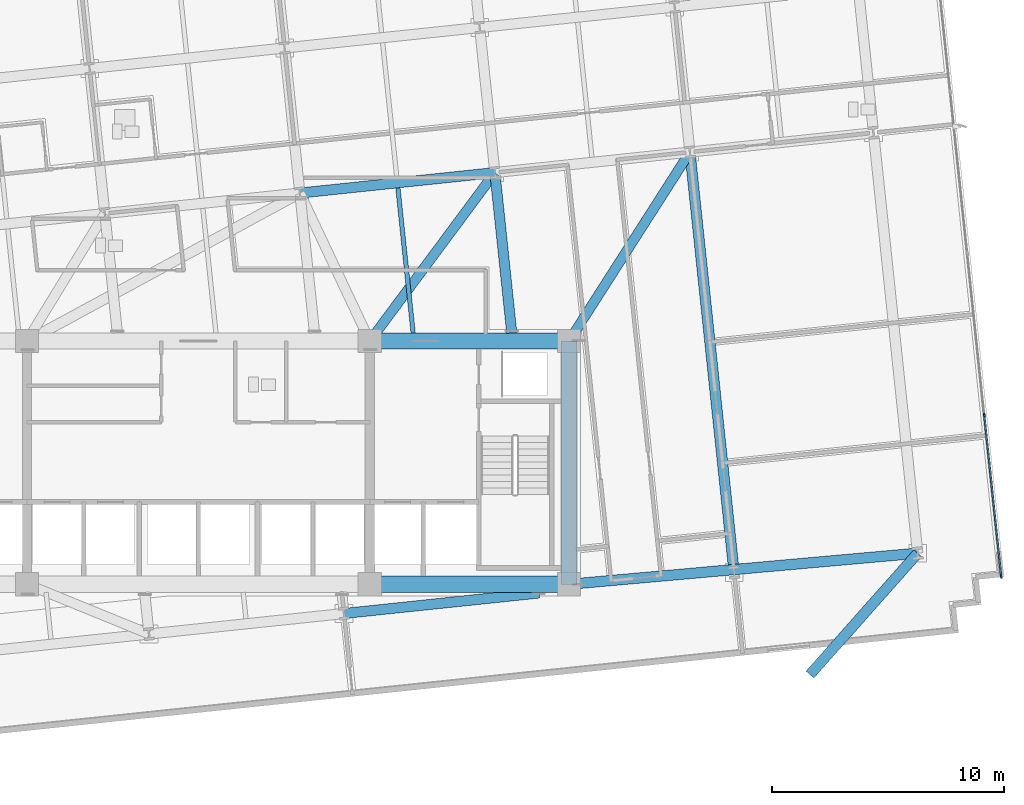
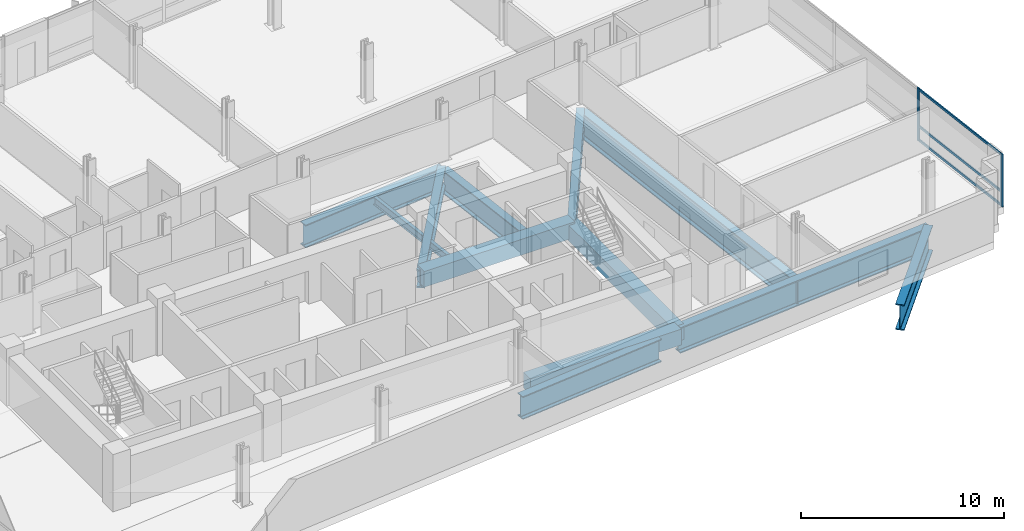
# One storey, part 4 of 18: 12 beams, 5 members, 1 element without a shape of its own.
"""IFC4 building model written with IfcOpenShell, lengths in metres."""

import ifcopenshell
import ifcopenshell.guid

model = None  # the IFC model being written
_history = None  # IfcOwnerHistory: only IFC2X3 demands one
_inside = {}  # id of a spatial element -> (the spatial element, [elements in it])
_under = {}  # id of a project, library or spatial element -> (it, [spatial elements below it])
_declared = {}  # id of a project -> (the project, [libraries it declares])
_typed = {}  # id of a type object -> (the type object, [elements of that type])
_made_of = {}  # id of a material, layer set ... -> (it, [elements and type objects made of it])


def new_model(schema):
    """Start an empty IFC model of exactly this schema.

    Asked for "IFC4X3", IfcOpenShell would pick the latest addendum, in which some entities
    have other attributes; the version numbers below select the first issue.
    IFC2X3 requires an IfcOwnerHistory on every rooted entity: one is made here for all.
    """
    global model, _history
    if schema == "IFC4X3":
        model = ifcopenshell.file(schema_version=(4, 3, 0, 0))
    else:
        model = ifcopenshell.file(schema=schema)
    _inside.clear()
    _under.clear()
    _declared.clear()
    _typed.clear()
    _made_of.clear()
    _history = None
    if model.schema == "IFC2X3":
        org = make("IfcOrganization", Name="unknown")
        user = make(
            "IfcPersonAndOrganization",
            ThePerson=make("IfcPerson", FamilyName="unknown"),
            TheOrganization=org,
        )
        app = make(
            "IfcApplication",
            ApplicationDeveloper=org,
            Version="unknown",
            ApplicationFullName="unknown",
            ApplicationIdentifier="unknown",
        )
        _history = make(
            "IfcOwnerHistory",
            OwningUser=user,
            OwningApplication=app,
            ChangeAction="ADDED",
            CreationDate=0,
        )
    return model


def make(cls, **values):
    """One entity of the class cls with the attributes given. An attribute that is None is left unset."""
    return model.create_entity(
        cls, **{name: value for name, value in values.items() if value is not None}
    )


def rooted(cls, **values):
    """An entity with a GlobalId (a new one), such as an element, a storey or a relation."""
    return make(cls, GlobalId=ifcopenshell.guid.new(), OwnerHistory=_history, **values)


def si_unit(unit_type, name, prefix=None):
    """IfcSIUnit, for example si_unit("LENGTHUNIT", "METRE", prefix="MILLI")."""
    return make("IfcSIUnit", UnitType=unit_type, Prefix=prefix, Name=name)


def assignment(units):
    """IfcUnitAssignment: the units of a project."""
    return None if units is None else make("IfcUnitAssignment", Units=units)


def point(xyz):
    """IfcCartesianPoint."""
    return None if xyz is None else make("IfcCartesianPoint", Coordinates=xyz)


def direction(xyz):
    """IfcDirection."""
    return None if xyz is None else make("IfcDirection", DirectionRatios=xyz)


def frame(location, z_axis=None, x_axis=None):
    """IfcAxis2Placement3D, a coordinate frame: its origin and axes. An axis left out is left unset."""
    return make(
        "IfcAxis2Placement3D",
        Location=point(location),
        Axis=direction(z_axis),
        RefDirection=direction(x_axis),
    )


def frame_2d(location, x_axis=None):
    """IfcAxis2Placement2D, a coordinate frame in the plane: its origin and x axis."""
    return make(
        "IfcAxis2Placement2D", Location=point(location), RefDirection=direction(x_axis)
    )


def origin():
    """The frame at (0, 0, 0) with its axes left unset."""
    return frame((0.0, 0.0, 0.0))


def origin_2d():
    """The frame at (0, 0) in the plane with its x axis left unset."""
    return frame_2d((0.0, 0.0))


def place(relative_to, where):
    """IfcLocalPlacement: puts the frame where relative to a parent placement (None: the world)."""
    return make(
        "IfcLocalPlacement", PlacementRelTo=relative_to, RelativePlacement=where
    )


def context(
    kind, dimensions, precision=None, world=None, true_north=None, identifier=None
):
    """IfcGeometricRepresentationContext, for example the 3D "Model" context."""
    return make(
        "IfcGeometricRepresentationContext",
        ContextIdentifier=identifier,
        ContextType=kind,
        CoordinateSpaceDimension=dimensions,
        Precision=precision,
        WorldCoordinateSystem=world,
        TrueNorth=true_north,
    )


def subcontext(parent, identifier, kind, view, scale=None):
    """IfcGeometricRepresentationSubContext, for example "Body" below "Model"."""
    return make(
        "IfcGeometricRepresentationSubContext",
        ContextIdentifier=identifier,
        ContextType=kind,
        ParentContext=parent,
        TargetScale=scale,
        TargetView=view,
    )


def project(units=None, contexts=None):
    """IfcProject with its units and contexts."""
    return rooted(
        "IfcProject",
        Name="project",
        RepresentationContexts=contexts,
        UnitsInContext=assignment(units),
    )


def spatial(cls, under=None, at=None, **own):
    """A site, building, storey or space (cls), placed at a placement, below another one or the project."""
    s = rooted(cls, ObjectPlacement=at, **own)
    if under is not None:
        _under.setdefault(under.id(), (under, []))[1].append(s)
    return s


def profile(cls, at=None, kind="AREA", **sizes):
    """A parametric profile (cls). Its sizes go by their IFC names, for example OverallWidth=200.0."""
    return make(cls, ProfileType=kind, Position=at, **sizes)


def rectangle(**sizes):
    """IfcRectangleProfileDef."""
    return profile("IfcRectangleProfileDef", **sizes)


def i_section(**sizes):
    """IfcIShapeProfileDef."""
    return profile("IfcIShapeProfileDef", **sizes)


def extrude(swept, where, along, depth):
    """IfcExtrudedAreaSolid: the profile swept, set in the frame where, extruded along a direction by depth."""
    return make(
        "IfcExtrudedAreaSolid",
        SweptArea=swept,
        Position=where,
        ExtrudedDirection=direction(along),
        Depth=depth,
    )


def shape(context_of_items, identifier, shape_type, items):
    """IfcShapeRepresentation: the items that make up one representation, for example the "Body"."""
    return make(
        "IfcShapeRepresentation",
        ContextOfItems=context_of_items,
        RepresentationIdentifier=identifier,
        RepresentationType=shape_type,
        Items=items,
    )


def material(Name=None, Category=None):
    """IfcMaterial."""
    return make("IfcMaterial", Name=Name, Category=Category)


def material_profile(
    of_material, cross_section, Name=None, Category=None, Priority=None
):
    """IfcMaterialProfile: a cross section and its material."""
    return make(
        "IfcMaterialProfile",
        Name=Name,
        Material=of_material,
        Profile=cross_section,
        Priority=Priority,
        Category=Category,
    )


def profile_set(profiles, Name=None, composite=None):
    """IfcMaterialProfileSet."""
    return make(
        "IfcMaterialProfileSet",
        Name=Name,
        MaterialProfiles=profiles,
        CompositeProfile=composite,
    )


def made_of(thing, what):
    """Note that an element or type object is made of a material, layer set ...; save() writes the relation."""
    if what is not None:
        _made_of.setdefault(what.id(), (what, []))[1].append(thing)
    return thing


def type_object(cls, material=None, **own):
    """A type object (cls), such as IfcWallType, which elements share."""
    return made_of(rooted(cls, **own), material)


def element(
    cls,
    number,
    at=None,
    inside=None,
    cuts=None,
    type_object=None,
    material=None,
    context=None,
    identifier="Body",
    shape_type=None,
    held_by="IfcProductDefinitionShape",
    body=None,
    shapes=None,
    **own,
):
    """One element of the class cls, such as IfcWall. Its Tag is "e" and its number.

    at: its placement. inside: the storey or other place that contains it. cuts: it is an
    opening in that element (IfcRelVoidsElement). A single representation is given by context,
    identifier, shape_type and body (its items); several are given by shapes. held_by: the class
    of the entity that holds the representations. save() writes the other relations.
    """
    e = rooted(cls, Tag="e%d" % number, ObjectPlacement=at, **own)
    if body is not None:
        shapes = [shape(context, identifier, shape_type, body)]
    if shapes is not None:
        e.Representation = make(held_by, Representations=shapes)
    if inside is not None:
        _inside.setdefault(inside.id(), (inside, []))[1].append(e)
    if cuts is not None:
        rooted(
            "IfcRelVoidsElement", RelatingBuildingElement=cuts, RelatedOpeningElement=e
        )
    if type_object is not None:
        _typed.setdefault(type_object.id(), (type_object, []))[1].append(e)
    return made_of(e, material)


def aggregate(whole, parts):
    """IfcRelAggregates: a whole, such as a stair, and the parts it consists of."""
    return rooted("IfcRelAggregates", RelatingObject=whole, RelatedObjects=parts)


def save(model, path):
    """Write the relations noted so far, then the file.

    IfcRelAggregates (storeys below a building ...), IfcRelContainedInSpatialStructure (elements
    in a storey), IfcRelDefinesByType, IfcRelAssociatesMaterial and IfcRelDeclares: one each for
    every whole, place, type object, material and project.
    """
    for whole, parts in _under.values():
        aggregate(whole, parts)
    for where, things in _inside.values():
        rooted(
            "IfcRelContainedInSpatialStructure",
            RelatedElements=things,
            RelatingStructure=where,
        )
    for kind, things in _typed.values():
        rooted("IfcRelDefinesByType", RelatedObjects=things, RelatingType=kind)
    for what, things in _made_of.values():
        rooted("IfcRelAssociatesMaterial", RelatedObjects=things, RelatingMaterial=what)
    for by, libraries in _declared.values():
        rooted("IfcRelDeclares", RelatingContext=by, RelatedDefinitions=libraries)
    model.write(path)


model = new_model("IFC4")

# Units and contexts
model_context = context("Model", 3, precision=1e-05, world=origin(), true_north=direction((0.0, 1.0)))
body_context = subcontext(model_context, "Body", "Model", "MODEL_VIEW")
ifc_project = project(units=[si_unit("LENGTHUNIT", "METRE"), si_unit("AREAUNIT", "SQUARE_METRE"), si_unit("VOLUMEUNIT", "CUBIC_METRE"), si_unit("PLANEANGLEUNIT", "RADIAN"), si_unit("MASSUNIT", "GRAM", prefix="KILO")], contexts=[model_context])

# Site, building, storey
site_placement = place(None, origin())
site = spatial("IfcSite", under=ifc_project, at=site_placement, CompositionType="ELEMENT")
building_placement = place(site_placement, origin())
building = spatial("IfcBuilding", under=site, at=building_placement, Name="Solmavex Isthmus Hotel", CompositionType="ELEMENT")
storey_placement = place(building_placement, frame((0.0, 0.0, 80.10009765625)))
storey = spatial("IfcBuildingStorey", under=building, at=storey_placement, Name="L21", CompositionType="ELEMENT", Elevation=80.10009765625)

# Beams
ifc_material_1 = material(Name="Steel ASTM A992 Grade 50", Category="steel")
ifc_material_profile_1 = material_profile(ifc_material_1, i_section(OverallWidth=0.1904296875, OverallDepth=0.456787109375, WebThickness=0.009033203125, FlangeThickness=0.014404296875, FilletRadius=0.0126953125, at=origin_2d()), Name="W18X50")
ifc_profile_set_1 = profile_set([ifc_material_profile_1], Name="Steel ASTM A992 Grade 50")
beam_type_1 = type_object("IfcBeamType", Name="BM-BJ-W18X50", PredefinedType="JOIST", material=ifc_profile_set_1)
beam_1_placement = place(storey_placement, frame((9.271484375, -2.14990234375, -0.678466796875), z_axis=(-0.104535422738, 0.994521163874, 0.0), x_axis=(-0.994521163874, -0.104535422738, 0.0)))
element("IfcBeam", 1, at=beam_1_placement, inside=storey, type_object=beam_type_1, Name="Secondary Floor Joist L21-J13", PredefinedType="JOIST", context=body_context, shape_type="SweptSolid", body=[
    extrude(i_section(OverallWidth=0.1904296875, OverallDepth=0.456787109375, WebThickness=0.009033203125, FlangeThickness=0.014404296875, FilletRadius=0.0126953125, at=origin_2d()), origin(), (0.0, 0.0, 1.0), 6.29638671875),
])
ifc_material_2 = material(Name="Concrete C60/75", Category="concrete")
ifc_material_profile_2 = material_profile(ifc_material_2, rectangle(XDim=0.699951171875, YDim=0.949951171875, at=origin_2d()), Name="RC700X950")
ifc_profile_set_2 = profile_set([ifc_material_profile_2], Name="Concrete C60/75")
beam_type_2 = type_object("IfcBeamType", Name="BM-CB-700X950", PredefinedType="BEAM", material=ifc_profile_set_2)
for number, where, z_axis, x_axis, name in (
    (2, (7.39990234375, -13.0, -0.925048828125), (1.0, 0.0, 0.0), (0.0, 1.0, 0.0), "Core Coupling Beam L21-CB3"),
    (3, (7.39990234375, -2.5, -0.815185546875), (1.0, 0.0, 0.0), (0.0, 1.0, 0.0), "Core Coupling Beam L21-CB6"),
):
    element("IfcBeam", number, at=place(storey_placement, frame(where, z_axis=z_axis, x_axis=x_axis)), inside=storey, type_object=beam_type_2, Name=name, PredefinedType="BEAM", context=body_context, shape_type="SweptSolid", body=[
        extrude(rectangle(XDim=0.699951171875, YDim=0.949951171875, at=origin_2d()), origin(), (0.0, 0.0, 1.0), 8.60009765625),
    ])
beam_2_placement = place(storey_placement, frame((16.0, -13.0, -0.925048828125), z_axis=(0.0, 1.0, 0.0), x_axis=(-1.0, 0.0, 0.0)))
element("IfcBeam", 4, at=beam_2_placement, inside=storey, type_object=beam_type_2, Name="Core Coupling Beam L21-CB8", PredefinedType="BEAM", context=body_context, shape_type="SweptSolid", body=[
    extrude(rectangle(XDim=0.699951171875, YDim=0.949951171875, at=origin_2d()), origin(), (0.0, 0.0, 1.0), 10.5),
])
ifc_material_3 = material(Name="Steel ASTM A572 Grade 50", Category="steel")
ifc_material_profile_3 = material_profile(ifc_material_3, i_section(OverallWidth=0.449951171875, OverallDepth=1.550048828125, WebThickness=0.031982421875, FlangeThickness=0.06494140625, FilletRadius=0.030517578125, at=origin_2d()), Name="I1550X450")
ifc_profile_set_3 = profile_set([ifc_material_profile_3], Name="Steel ASTM A572 Grade 50")
beam_type_3 = type_object("IfcBeamType", Name="BM-TB-G1550", PredefinedType="BEAM", material=ifc_profile_set_3)
beam_3_placement = place(storey_placement, frame((16.0, -13.0, -1.22509765625), z_axis=(0.996052921657, 0.088761350022, 0.0), x_axis=(-0.088761350022, 0.996052921657, 0.0)))
element("IfcBeam", 5, at=beam_3_placement, inside=storey, type_object=beam_type_3, Name="Core Outrigger Strut L20-OTSE", PredefinedType="BEAM", context=body_context, shape_type="SweptSolid", body=[
    extrude(i_section(OverallWidth=0.449951171875, OverallDepth=1.550048828125, WebThickness=0.031982421875, FlangeThickness=0.06494140625, FilletRadius=0.030517578125, at=origin_2d()), origin(), (0.0, 0.0, 1.0), 15.111328125),
])
beam_4_placement = place(storey_placement, frame((26.39990234375, -16.89990234375, -1.22509765625), z_axis=(0.663805763116, 0.747905013256, 0.0), x_axis=(-0.747905013256, 0.663805763116, 0.0)))
element("IfcBeam", 6, at=beam_4_placement, inside=storey, type_object=beam_type_3, Name="Core Outrigger Strut L20-OTK1", PredefinedType="BEAM", context=body_context, shape_type="SweptSolid", body=[
    extrude(i_section(OverallWidth=0.449951171875, OverallDepth=1.550048828125, WebThickness=0.031982421875, FlangeThickness=0.06494140625, FilletRadius=0.030517578125, at=origin_2d()), origin(), (0.0, 0.0, 1.0), 7.0078125),
])
beam_5_placement = place(storey_placement, frame((23.12744140625, -12.49169921875, -1.22509765625), z_axis=(-0.104533944001, 0.994521319305, 0.0), x_axis=(-0.994521319305, -0.104533944001, 0.0)))
element("IfcBeam", 7, at=beam_5_placement, inside=storey, type_object=beam_type_3, Name="Outrigger Collector Beam L21-VG41", PredefinedType="BEAM", context=body_context, shape_type="SweptSolid", body=[
    extrude(i_section(OverallWidth=0.449951171875, OverallDepth=1.550048828125, WebThickness=0.031982421875, FlangeThickness=0.06494140625, FilletRadius=0.030517578125, at=origin_2d()), origin(), (0.0, 0.0, 1.0), 18.0302734375),
])
ifc_material_4 = material(Name="Steel ASTM A913 Grade 65", Category="steel")
ifc_material_profile_4 = material_profile(ifc_material_4, i_section(OverallWidth=0.42431640625, OverallDepth=1.09228515625, WebThickness=0.04541015625, FlangeThickness=0.08203125, FilletRadius=0.030517578125, at=origin_2d()), Name="W40X593")
ifc_profile_set_4 = profile_set([ifc_material_profile_4], Name="Steel ASTM A913 Grade 65")
beam_type_4 = type_object("IfcBeamType", Name="BM-TB-W40X397", PredefinedType="BEAM", material=ifc_profile_set_4)
beam_6_placement = place(storey_placement, frame((16.0, -2.5, -0.99609375), z_axis=(0.538930658771, 0.842350132093, 0.0), x_axis=(-0.842350132093, 0.538930658771, 0.0)))
element("IfcBeam", 8, at=beam_6_placement, inside=storey, type_object=beam_type_4, Name="Core Outrigger Strut L20-OTNE", PredefinedType="BEAM", context=body_context, shape_type="SweptSolid", body=[
    extrude(i_section(OverallWidth=0.42431640625, OverallDepth=1.09228515625, WebThickness=0.04541015625, FlangeThickness=0.08203125, FilletRadius=0.030517578125, at=origin_2d()), origin(), (0.0, 0.0, 1.0), 9.685302734375),
])
ifc_material_profile_5 = material_profile(ifc_material_3, i_section(OverallWidth=0.43994140625, OverallDepth=1.3798828125, WebThickness=0.030029296875, FlangeThickness=0.054931640625, FilletRadius=0.030517578125, at=origin_2d()), Name="I1380X440")
ifc_profile_set_5 = profile_set([ifc_material_profile_5], Name="Steel ASTM A572 Grade 50")
beam_type_5 = type_object("IfcBeamType", Name="BM-TG-I1380", PredefinedType="BEAM", material=ifc_profile_set_5)
for number, where, z_axis, x_axis, name in (
    (9, (6.2880859375, -14.261474609375, -1.14013671875), (0.994524082861, 0.104507648572, 0.0), (-0.104507648572, 0.994524082861, 0.0), "Outrigger Collector Girder L21-UG04"),
    (10, (4.38037109375, 3.888427734375, -1.14013671875), (0.994521085209, 0.104536171134, 0.0), (-0.104536171134, 0.994521085209, 0.0), "Outrigger Collector Girder L21-UG08"),
):
    element("IfcBeam", number, at=place(storey_placement, frame(where, z_axis=z_axis, x_axis=x_axis)), inside=storey, type_object=beam_type_5, Name=name, PredefinedType="BEAM", context=body_context, shape_type="SweptSolid", body=[
        extrude(i_section(OverallWidth=0.43994140625, OverallDepth=1.3798828125, WebThickness=0.030029296875, FlangeThickness=0.054931640625, FilletRadius=0.030517578125, at=origin_2d()), origin(), (0.0, 0.0, 1.0), 8.466064453125),
    ])
beam_7_placement = place(storey_placement, frame((13.52783203125, -2.14990234375, -1.14013671875), z_axis=(-0.104550939159, 0.9945195328, 0.0), x_axis=(-0.9945195328, -0.104550939159, 0.0)))
element("IfcBeam", 11, at=beam_7_placement, inside=storey, type_object=beam_type_5, Name="Outrigger Collector Beam L21-VG38", PredefinedType="BEAM", context=body_context, shape_type="SweptSolid", body=[
    extrude(i_section(OverallWidth=0.43994140625, OverallDepth=1.3798828125, WebThickness=0.030029296875, FlangeThickness=0.054931640625, FilletRadius=0.030517578125, at=origin_2d()), origin(), (0.0, 0.0, 1.0), 6.741455078125),
])
ifc_material_profile_6 = material_profile(ifc_material_4, i_section(OverallWidth=0.42431640625, OverallDepth=1.09228515625, WebThickness=0.04541015625, FlangeThickness=0.08203125, FilletRadius=0.030517578125, at=origin_2d()), Name="W40X593")
ifc_profile_set_6 = profile_set([ifc_material_profile_6], Name="Steel ASTM A913 Grade 65")
beam_type_6 = type_object("IfcBeamType", Name="BM-TG-W40X593", PredefinedType="BEAM", material=ifc_profile_set_6)
beam_8_placement = place(storey_placement, frame((7.39990234375, -2.5, -0.99609375), z_axis=(0.596112107254, 0.802901211597, 0.0), x_axis=(-0.802901211597, 0.596112107254, 0.0)))
element("IfcBeam", 12, at=beam_8_placement, inside=storey, type_object=beam_type_6, Name="Core Outrigger Strut L20-OTE", PredefinedType="BEAM", context=body_context, shape_type="SweptSolid", body=[
    extrude(i_section(OverallWidth=0.42431640625, OverallDepth=1.09228515625, WebThickness=0.04541015625, FlangeThickness=0.08203125, FilletRadius=0.030517578125, at=origin_2d()), origin(), (0.0, 0.0, 1.0), 9.058837890625),
])

# Curtain wall, members
ifc_material_5 = material(Name="Aluminium alloy 6063-T6", Category="aluminium")
curtain_wall_type = type_object("IfcCurtainWallType", Name="CW-SYS-03", PredefinedType="NOTDEFINED", material=ifc_material_5)
curtain_wall_placement = place(storey_placement, origin())
curtain_wall = element("IfcCurtainWall", 13, at=curtain_wall_placement, inside=storey, type_object=curtain_wall_type, Name="Stick Curtain Wall CWL-L21-E1", PredefinedType="NOTDEFINED")
ifc_material_profile_7 = material_profile(ifc_material_5, rectangle(XDim=0.070068359375, YDim=0.179931640625, at=origin_2d()), Name="CWM-70X180")
ifc_profile_set_7 = profile_set([ifc_material_profile_7], Name="Aluminium alloy 6063-T6")
member_type_1 = type_object("IfcMemberType", Name="CW-SYS-03-MUL", PredefinedType="MULLION", material=ifc_profile_set_7)
member_1_placement = place(storey_placement, frame((34.6552734375, -12.652587890625, 0.0), z_axis=(0.0, 0.0, 1.0), x_axis=(-0.994521893044, -0.104528485381, 0.0)))
member_1 = element("IfcMember", 14, at=member_1_placement, type_object=member_type_1, Name="CW-03 mullion 1", PredefinedType="MULLION", context=body_context, shape_type="SweptSolid", body=[
    extrude(rectangle(XDim=0.070068359375, YDim=0.179931640625, at=origin_2d()), origin(), (0.0, 0.0, 1.0), 3.18994140625),
])
member_2_placement = place(storey_placement, frame((33.92529296875, -5.705810546875, 0.0), z_axis=(0.0, 0.0, 1.0), x_axis=(-0.994521893044, -0.104528485381, 0.0)))
member_2 = element("IfcMember", 15, at=member_2_placement, type_object=member_type_1, Name="CW-03 mullion 2", PredefinedType="MULLION", context=body_context, shape_type="SweptSolid", body=[
    extrude(rectangle(XDim=0.070068359375, YDim=0.179931640625, at=origin_2d()), origin(), (0.0, 0.0, 1.0), 3.18994140625),
])
ifc_material_profile_8 = material_profile(ifc_material_5, rectangle(XDim=0.070068359375, YDim=0.139892578125, at=origin_2d()), Name="CWT-70X140")
ifc_profile_set_8 = profile_set([ifc_material_profile_8], Name="Aluminium alloy 6063-T6")
member_type_2 = type_object("IfcMemberType", Name="CW-SYS-03-TRN", PredefinedType="USERDEFINED", material=ifc_profile_set_8)
member_3_placement = place(storey_placement, frame((34.651611328125, -12.61767578125, 0.06982421875), z_axis=(-0.104508345235, 0.994524009653, 0.0), x_axis=(-0.994524009653, -0.104508345235, 0.0)))
member_3 = element("IfcMember", 16, at=member_3_placement, type_object=member_type_2, Name="CW-03 transom 1.1", ObjectType="TRANSOM", PredefinedType="USERDEFINED", context=body_context, shape_type="SweptSolid", body=[
    extrude(rectangle(XDim=0.070068359375, YDim=0.139892578125, at=origin_2d()), origin(), (0.0, 0.0, 1.0), 6.914794921875),
])
member_4_placement = place(storey_placement, frame((34.651611328125, -12.61767578125, 0.89990234375), z_axis=(-0.104508345235, 0.994524009653, 0.0), x_axis=(-0.994524009653, -0.104508345235, 0.0)))
member_4 = element("IfcMember", 17, at=member_4_placement, type_object=member_type_2, Name="CW-03 transom 1.2", ObjectType="TRANSOM", PredefinedType="USERDEFINED", context=body_context, shape_type="SweptSolid", body=[
    extrude(rectangle(XDim=0.070068359375, YDim=0.139892578125, at=origin_2d()), origin(), (0.0, 0.0, 1.0), 6.914794921875),
])
member_5_placement = place(storey_placement, frame((34.651611328125, -12.61767578125, 3.119873046875), z_axis=(-0.104508345235, 0.994524009653, 0.0), x_axis=(-0.994524009653, -0.104508345235, 0.0)))
member_5 = element("IfcMember", 18, at=member_5_placement, type_object=member_type_2, Name="CW-03 transom 1.3", ObjectType="TRANSOM", PredefinedType="USERDEFINED", context=body_context, shape_type="SweptSolid", body=[
    extrude(rectangle(XDim=0.070068359375, YDim=0.139892578125, at=origin_2d()), origin(), (0.0, 0.0, 1.0), 6.914794921875),
])
aggregate(curtain_wall, [member_1, member_2, member_3, member_4, member_5])

save(model, "model.ifc")
